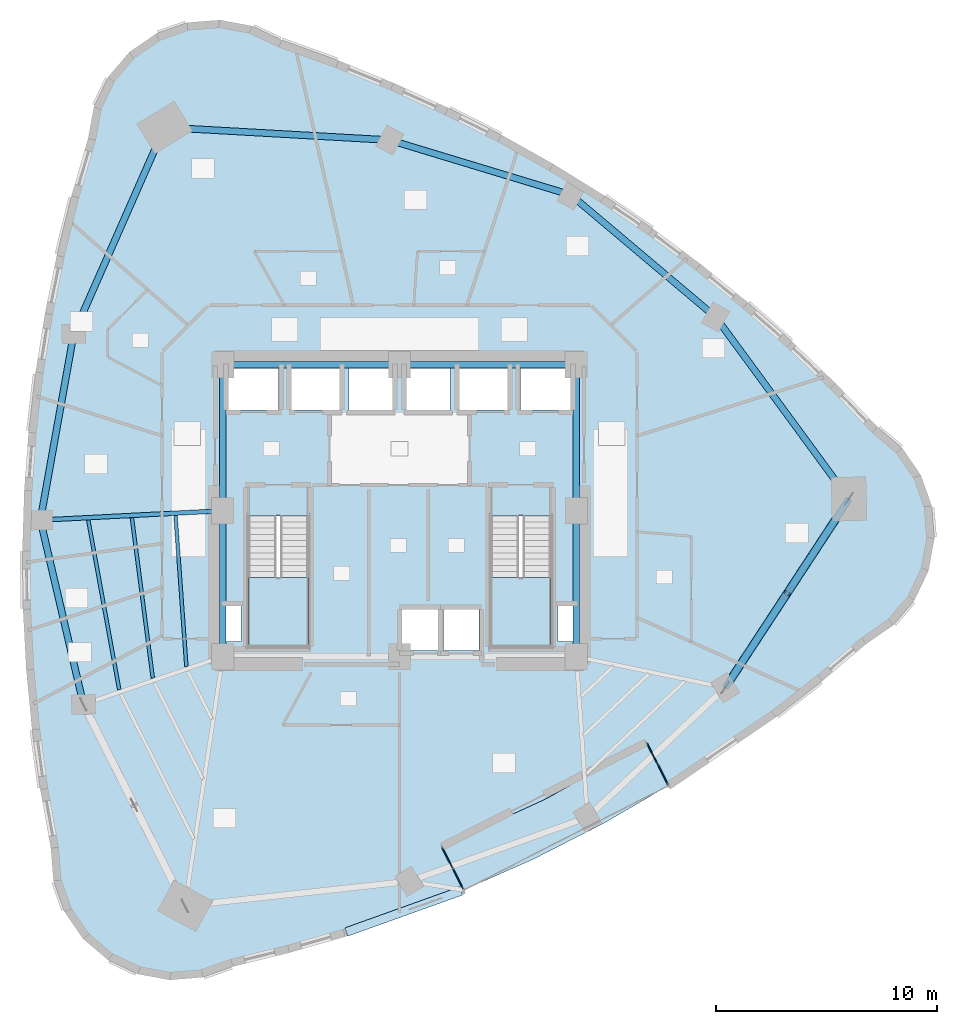
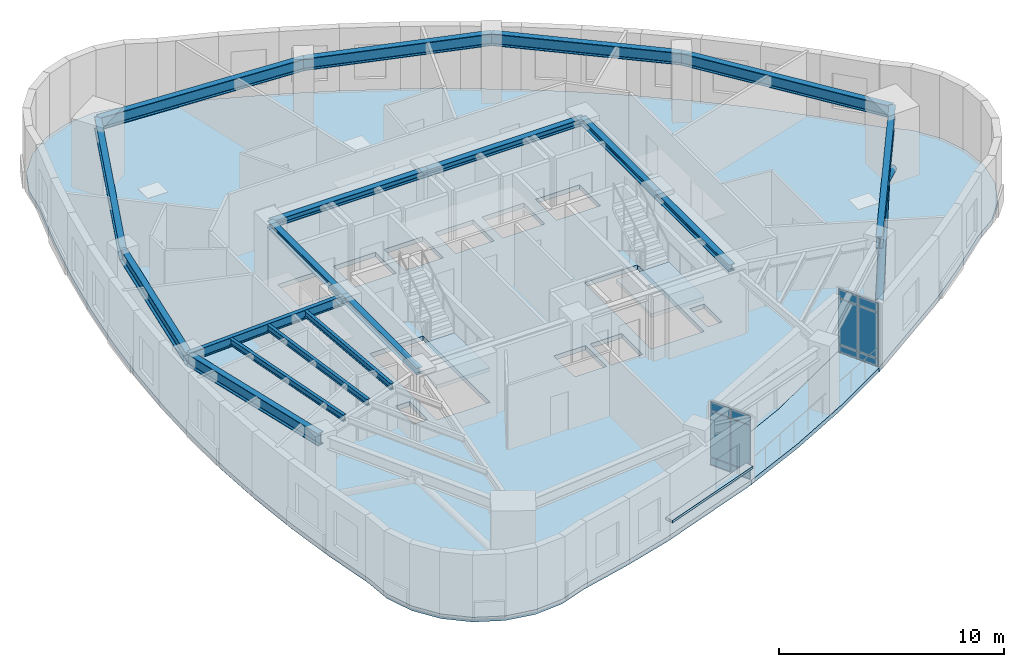
# One storey, part 4 of 12: 18 beams, 13 plates, 4 slabs, 2 members, 4 elements without a shape of their own.
"""IFC4 building model written with IfcOpenShell, lengths in metres."""

from ifc_helpers import new_model, si_unit, direction, frame, origin, origin_2d, place, context, subcontext, project, spatial, polyline, rectangle, hollow_circle, i_section, outline, extrude, material, layer, layer_set, material_profile, profile_set, type_object, element, aggregate, save


model = new_model("IFC4")

# Units and contexts
model_context = context("Model", 3, precision=1e-05, world=origin(), true_north=direction((0.0, 1.0)))
body_context = subcontext(model_context, "Body", "Model", "MODEL_VIEW")
ifc_project = project(units=[si_unit("LENGTHUNIT", "METRE"), si_unit("AREAUNIT", "SQUARE_METRE"), si_unit("VOLUMEUNIT", "CUBIC_METRE"), si_unit("PLANEANGLEUNIT", "RADIAN"), si_unit("MASSUNIT", "GRAM", prefix="KILO")], contexts=[model_context])

# Site, building, storey
site_placement = place(None, origin())
site = spatial("IfcSite", under=ifc_project, at=site_placement, CompositionType="ELEMENT")
building_placement = place(site_placement, origin())
building = spatial("IfcBuilding", under=site, at=building_placement, Name="Ndelora Gate Hotel", CompositionType="ELEMENT")
storey_placement = place(building_placement, frame((0.0, 0.0, 112.25)))
storey = spatial("IfcBuildingStorey", under=building, at=storey_placement, Name="L27", CompositionType="ELEMENT", Elevation=112.25)

# Beams
ifc_material_1 = material(Name="Steel S355", Category="steel")
ifc_material_profile_1 = material_profile(ifc_material_1, i_section(OverallWidth=0.300048828125, OverallDepth=0.360107421875, WebThickness=0.012451171875, FlangeThickness=0.0224609375, FilletRadius=0.027099609375, at=origin_2d()), Name="HEB 360")
ifc_profile_set_1 = profile_set([ifc_material_profile_1], Name="Steel S355")
beam_type_1 = type_object("IfcBeamType", Name="BM-CORE-360", PredefinedType="BEAM", material=ifc_profile_set_1)
for number, where, z_axis, x_axis, name in (
    (1, (-8.0, 6.60009765625, 3.320068359375), (1.0, 0.0, 0.0), (0.0, 1.0, 0.0), "L27 Core Tie Girder CC7-CC6"),
    (2, (0.0, 6.60009765625, 3.320068359375), (1.0, 0.0, 0.0), (0.0, 1.0, 0.0), "L27 Core Tie Girder CC6-CC5"),
):
    element("IfcBeam", number, at=place(storey_placement, frame(where, z_axis=z_axis, x_axis=x_axis)), inside=storey, type_object=beam_type_1, Name=name, PredefinedType="BEAM", context=body_context, shape_type="SweptSolid", body=[
        extrude(i_section(OverallWidth=0.300048828125, OverallDepth=0.360107421875, WebThickness=0.012451171875, FlangeThickness=0.0224609375, FilletRadius=0.027099609375, at=origin_2d()), origin(), (0.0, 0.0, 1.0), 8.0),
    ])
for number, where, z_axis, x_axis, name in (
    (3, (-8.0, -6.60009765625, 3.320068359375), (0.0, 1.0, 0.0), (-1.0, 0.0, 0.0), "L27 Core Tie Girder CC1-CC8"),
    (4, (-8.0, 0.0, 3.320068359375), (0.0, 1.0, 0.0), (-1.0, 0.0, 0.0), "L27 Core Tie Girder CC8-CC7"),
    (5, (8.0, -6.60009765625, 3.320068359375), (0.0, 1.0, 0.0), (-1.0, 0.0, 0.0), "L27 Core Tie Girder CC3-CC4"),
    (6, (8.0, 0.0, 3.320068359375), (0.0, 1.0, 0.0), (-1.0, 0.0, 0.0), "L27 Core Tie Girder CC4-CC5"),
):
    element("IfcBeam", number, at=place(storey_placement, frame(where, z_axis=z_axis, x_axis=x_axis)), inside=storey, type_object=beam_type_1, Name=name, PredefinedType="BEAM", context=body_context, shape_type="SweptSolid", body=[
        extrude(i_section(OverallWidth=0.300048828125, OverallDepth=0.360107421875, WebThickness=0.012451171875, FlangeThickness=0.0224609375, FilletRadius=0.027099609375, at=origin_2d()), origin(), (0.0, 0.0, 1.0), 6.60009765625),
    ])
ifc_material_profile_2 = material_profile(ifc_material_1, i_section(OverallWidth=0.159912109375, OverallDepth=0.330078125, WebThickness=0.007568359375, FlangeThickness=0.011474609375, FilletRadius=0.01806640625, at=origin_2d()), Name="IPE 330")
ifc_profile_set_2 = profile_set([ifc_material_profile_2], Name="Steel S355")
beam_type_2 = type_object("IfcBeamType", Name="BM-JST-330", PredefinedType="JOIST", material=ifc_profile_set_2)
beam_1_placement = place(storey_placement, frame((-10.138427734375, -0.220458984375, 3.3349609375), z_axis=(0.07162945927, -0.997431311201, 0.0), x_axis=(0.997431311201, 0.07162945927, 0.0)))
element("IfcBeam", 7, at=beam_1_placement, inside=storey, type_object=beam_type_2, Name="L27 Secondary Composite Floor Joist IN-3", PredefinedType="JOIST", context=body_context, shape_type="SweptSolid", body=[
    extrude(i_section(OverallWidth=0.159912109375, OverallDepth=0.330078125, WebThickness=0.007568359375, FlangeThickness=0.011474609375, FilletRadius=0.01806640625, at=origin_2d()), origin(), (0.0, 0.0, 1.0), 6.850830078125),
])
beam_2_placement = place(storey_placement, frame((-12.113525390625, -0.322021484375, 3.3349609375), z_axis=(0.12927924943, -0.991608226906, 0.0), x_axis=(0.991608226906, 0.12927924943, 0.0)))
element("IfcBeam", 8, at=beam_2_placement, inside=storey, type_object=beam_type_2, Name="L27 Secondary Composite Floor Joist MID-3", PredefinedType="JOIST", context=body_context, shape_type="SweptSolid", body=[
    extrude(i_section(OverallWidth=0.159912109375, OverallDepth=0.330078125, WebThickness=0.007568359375, FlangeThickness=0.011474609375, FilletRadius=0.01806640625, at=origin_2d()), origin(), (0.0, 0.0, 1.0), 7.31396484375),
])
beam_3_placement = place(storey_placement, frame((-14.089111328125, -0.423095703125, 3.3349609375), z_axis=(0.179733770179, -0.983715290039, 0.0), x_axis=(0.983715290039, 0.179733770179, 0.0)))
element("IfcBeam", 9, at=beam_3_placement, inside=storey, type_object=beam_type_2, Name="L27 Secondary Composite Floor Joist OUT-3", PredefinedType="JOIST", context=body_context, shape_type="SweptSolid", body=[
    extrude(i_section(OverallWidth=0.159912109375, OverallDepth=0.330078125, WebThickness=0.007568359375, FlangeThickness=0.011474609375, FilletRadius=0.01806640625, at=origin_2d()), origin(), (0.0, 0.0, 1.0), 7.799560546875),
])
ifc_material_profile_3 = material_profile(ifc_material_1, i_section(OverallWidth=0.199951171875, OverallDepth=0.5, WebThickness=0.01025390625, FlangeThickness=0.01611328125, FilletRadius=0.02099609375, at=origin_2d()), Name="IPE 500")
ifc_profile_set_3 = profile_set([ifc_material_profile_3], Name="Steel S355")
beam_type_3 = type_object("IfcBeamType", Name="BM-RAD-500", PredefinedType="BEAM", material=ifc_profile_set_3)
beam_4_placement = place(storey_placement, frame((-8.0, 0.0, 3.25), z_axis=(-0.998672591881, -0.051507807424, 0.0), x_axis=(0.051507807424, -0.998672591881, 0.0)))
element("IfcBeam", 10, at=beam_4_placement, inside=storey, type_object=beam_type_3, Name="L27 Radial Floor Girder 3", PredefinedType="BEAM", context=body_context, shape_type="SweptSolid", body=[
    extrude(i_section(OverallWidth=0.199951171875, OverallDepth=0.5, WebThickness=0.01025390625, FlangeThickness=0.01611328125, FilletRadius=0.02099609375, at=origin_2d()), origin(), (0.0, 0.0, 1.0), 8.266357421875),
])
ifc_material_profile_4 = material_profile(ifc_material_1, i_section(OverallWidth=0.300048828125, OverallDepth=0.64990234375, WebThickness=0.01611328125, FlangeThickness=0.031005859375, FilletRadius=0.027099609375, at=origin_2d()), Name="HEB 650")
ifc_profile_set_4 = profile_set([ifc_material_profile_4], Name="Steel S355")
beam_type_4 = type_object("IfcBeamType", Name="BM-RING-650", PredefinedType="SPANDREL", material=ifc_profile_set_4)
beam_5_placement = place(storey_placement, frame((-10.63330078125, 17.351806640625, 3.175048828125), z_axis=(-0.402852396707, -0.915264959707, 0.0), x_axis=(0.915264959707, -0.402852396707, 0.0)))
element("IfcBeam", 11, at=beam_5_placement, inside=storey, type_object=beam_type_4, Name="L27 Perimeter Spandrel Girder 1", PredefinedType="SPANDREL", context=body_context, shape_type="SweptSolid", body=[
    extrude(i_section(OverallWidth=0.300048828125, OverallDepth=0.64990234375, WebThickness=0.01611328125, FlangeThickness=0.031005859375, FilletRadius=0.027099609375, at=origin_2d()), origin(), (0.0, 0.0, 1.0), 10.21044921875),
])
beam_6_placement = place(storey_placement, frame((-14.74658203125, 8.006591796875, 3.175048828125), z_axis=(-0.176130938817, -0.984366746894, 0.0), x_axis=(0.984366746894, -0.176130938817, 0.0)))
element("IfcBeam", 12, at=beam_6_placement, inside=storey, type_object=beam_type_4, Name="L27 Perimeter Spandrel Girder 2", PredefinedType="SPANDREL", context=body_context, shape_type="SweptSolid", body=[
    extrude(i_section(OverallWidth=0.300048828125, OverallDepth=0.64990234375, WebThickness=0.01611328125, FlangeThickness=0.031005859375, FilletRadius=0.027099609375, at=origin_2d()), origin(), (0.0, 0.0, 1.0), 8.56640625),
])
beam_7_placement = place(storey_placement, frame((-16.25537109375, -0.42578125, 3.175048828125), z_axis=(0.227404398157, -0.973800410607, 0.0), x_axis=(0.973800410607, 0.227404398157, 0.0)))
element("IfcBeam", 13, at=beam_7_placement, inside=storey, type_object=beam_type_4, Name="L27 Perimeter Spandrel Girder 3", PredefinedType="SPANDREL", context=body_context, shape_type="SweptSolid", body=[
    extrude(i_section(OverallWidth=0.300048828125, OverallDepth=0.64990234375, WebThickness=0.01611328125, FlangeThickness=0.031005859375, FilletRadius=0.027099609375, at=origin_2d()), origin(), (0.0, 0.0, 1.0), 8.566162109375),
])
for number, where, z_axis, x_axis, name in (
    (14, (14.74658203125, -8.006591796875, 3.175048828125), (0.548194123818, 0.836351123998, 0.0), (-0.836351123998, 0.548194123818, 0.0), "L27 Perimeter Spandrel Girder 8"),
    (15, (20.34375, 0.53271484375, 3.175048828125), (-0.591229932094, 0.806503048597, 0.0), (-0.806503048597, -0.591229932094, 0.0), "L27 Perimeter Spandrel Girder 9"),
):
    element("IfcBeam", number, at=place(storey_placement, frame(where, z_axis=z_axis, x_axis=x_axis)), inside=storey, type_object=beam_type_4, Name=name, PredefinedType="SPANDREL", context=body_context, shape_type="SweptSolid", body=[
        extrude(i_section(OverallWidth=0.300048828125, OverallDepth=0.64990234375, WebThickness=0.01611328125, FlangeThickness=0.031005859375, FilletRadius=0.027099609375, at=origin_2d()), origin(), (0.0, 0.0, 1.0), 10.210205078125),
    ])
beam_8_placement = place(storey_placement, frame((14.30712890625, 8.767333984375, 3.175048828125), z_axis=(-0.76440691948, 0.644734101356, 0.0), x_axis=(-0.644734101356, -0.76440691948, 0.0)))
element("IfcBeam", 16, at=beam_8_placement, inside=storey, type_object=beam_type_4, Name="L27 Perimeter Spandrel Girder 10", PredefinedType="SPANDREL", context=body_context, shape_type="SweptSolid", body=[
    extrude(i_section(OverallWidth=0.300048828125, OverallDepth=0.64990234375, WebThickness=0.01611328125, FlangeThickness=0.031005859375, FilletRadius=0.027099609375, at=origin_2d()), origin(), (0.0, 0.0, 1.0), 8.566162109375),
])
beam_9_placement = place(storey_placement, frame((7.759033203125, 14.290283203125, 3.175048828125), z_axis=(-0.957030396662, 0.289987620192, 0.0), x_axis=(-0.289987620192, -0.957030396662, 0.0)))
element("IfcBeam", 17, at=beam_9_placement, inside=storey, type_object=beam_type_4, Name="L27 Perimeter Spandrel Girder 11", PredefinedType="SPANDREL", context=body_context, shape_type="SweptSolid", body=[
    extrude(i_section(OverallWidth=0.300048828125, OverallDepth=0.64990234375, WebThickness=0.01611328125, FlangeThickness=0.031005859375, FilletRadius=0.027099609375, at=origin_2d()), origin(), (0.0, 0.0, 1.0), 8.56640625),
])
beam_10_placement = place(storey_placement, frame((-0.439208984375, 16.7744140625, 3.175048828125), z_axis=(-0.998399808671, 0.056549288648, 0.0), x_axis=(-0.056549288648, -0.998399808671, 0.0)))
element("IfcBeam", 18, at=beam_10_placement, inside=storey, type_object=beam_type_4, Name="L27 Perimeter Spandrel Girder 12", PredefinedType="SPANDREL", context=body_context, shape_type="SweptSolid", body=[
    extrude(i_section(OverallWidth=0.300048828125, OverallDepth=0.64990234375, WebThickness=0.01611328125, FlangeThickness=0.031005859375, FilletRadius=0.027099609375, at=origin_2d()), origin(), (0.0, 0.0, 1.0), 10.21044921875),
])

# Members
ifc_material_profile_5 = material_profile(ifc_material_1, hollow_circle(Radius=0.177978515625, WallThickness=0.01611328125, at=origin_2d()), Name="CHS 356x16")
ifc_profile_set_5 = profile_set([ifc_material_profile_5], Name="Steel S355")
member_type = type_object("IfcMemberType", Name="MB-TUBE-356", PredefinedType="BRACE", material=ifc_profile_set_5)
member_1_placement = place(storey_placement, frame((14.74658203125, -8.006591796875, 0.02001953125), z_axis=(0.47546124485, 0.725365632901, 0.497776358671), x_axis=(-0.836343937987, 0.548205086982, 0.0)))
element("IfcMember", 19, at=member_1_placement, inside=storey, type_object=member_type, Name="L27 Perimeter Braced-Tube Diagonal 8A", PredefinedType="BRACE", context=body_context, shape_type="SweptSolid", body=[
    extrude(hollow_circle(Radius=0.177978515625, WallThickness=0.01611328125, at=origin_2d()), origin(), (0.0, 0.0, 1.0), 5.885986328125),
])
member_2_placement = place(storey_placement, frame((20.34375, 0.53271484375, 0.02001953125), z_axis=(-0.475446940052, -0.7253852861, 0.497761382497), x_axis=(0.836358309577, -0.548183160997, 0.0)))
element("IfcMember", 20, at=member_2_placement, inside=storey, type_object=member_type, Name="L27 Perimeter Braced-Tube Diagonal 8B", PredefinedType="BRACE", context=body_context, shape_type="SweptSolid", body=[
    extrude(hollow_circle(Radius=0.177978515625, WallThickness=0.01611328125, at=origin_2d()), origin(), (0.0, 0.0, 1.0), 5.88623046875),
])

# Curtain wall, plates
ifc_material_2 = material(Name="Bronze Anodised Unitised Aluminium and Low-E Glass", Category="aluminium")
ifc_layer_1 = layer(ifc_material_2, 0.199951171875)
ifc_layer_set_1 = layer_set([ifc_layer_1], Name="Bronze Anodised Unitised Aluminium and Low-E Glass")
curtain_wall_type = type_object("IfcCurtainWallType", Name="CW-SYS-3", PredefinedType="NOTDEFINED", material=ifc_layer_set_1)
curtain_wall_1_placement = place(storey_placement, origin())
curtain_wall_1 = element("IfcCurtainWall", 21, at=curtain_wall_1_placement, inside=storey, type_object=curtain_wall_type, Name="L27 Sky-Garden Loggia Side Curtain Wall CW3-1", PredefinedType="NOTDEFINED")
ifc_material_3 = material(Name="Solar-Control Low-E Insulated Glazing", Category="glass")
ifc_layer_2 = layer(ifc_material_3, 0.048095703125)
ifc_layer_set_2 = layer_set([ifc_layer_2], Name="Solar-Control Low-E Insulated Glazing")
plate_type_1 = type_object("IfcPlateType", Name="PL-CW-GLZ36", PredefinedType="CURTAIN_PANEL", material=ifc_layer_set_2)
plate_1_placement = place(storey_placement, frame((2.16845703125, -15.709716796875, 0.05908203125), z_axis=(0.0, 0.0, 1.0), x_axis=(0.454000680995, -0.891001336507, 0.0)))
plate_1 = element("IfcPlate", 22, at=plate_1_placement, type_object=plate_type_1, Name="CW3 panel 1.1", PredefinedType="CURTAIN_PANEL", context=body_context, shape_type="SweptSolid", body=[
    extrude(rectangle(XDim=1.014404296875, YDim=0.048095703125, at=origin_2d()), origin(), (0.0, 0.0, 1.0), 0.364501953125),
])
plate_2_placement = place(storey_placement, frame((2.16845703125, -15.709716796875, 0.4765625), z_axis=(0.0, 0.0, 1.0), x_axis=(0.454000680995, -0.891001336507, 0.0)))
plate_2 = element("IfcPlate", 23, at=plate_2_placement, type_object=plate_type_1, Name="CW3 panel 1.2", PredefinedType="CURTAIN_PANEL", context=body_context, shape_type="SweptSolid", body=[
    extrude(rectangle(XDim=1.014404296875, YDim=0.048095703125, at=origin_2d()), origin(), (0.0, 0.0, 1.0), 2.447021484375),
])
plate_3_placement = place(storey_placement, frame((2.16845703125, -15.709716796875, 2.9765625), z_axis=(0.0, 0.0, 1.0), x_axis=(0.454000680995, -0.891001336507, 0.0)))
plate_3 = element("IfcPlate", 24, at=plate_3_placement, type_object=plate_type_1, Name="CW3 panel 1.3", PredefinedType="CURTAIN_PANEL", context=body_context, shape_type="SweptSolid", body=[
    extrude(rectangle(XDim=1.014404296875, YDim=0.048095703125, at=origin_2d()), origin(), (0.0, 0.0, 1.0), 0.464599609375),
])
plate_4_placement = place(storey_placement, frame((2.653076171875, -16.660888671875, 0.05908203125), z_axis=(0.0, 0.0, 1.0), x_axis=(0.454000680995, -0.891001336507, 0.0)))
plate_4 = element("IfcPlate", 25, at=plate_4_placement, type_object=plate_type_1, Name="CW3 panel 2.1", PredefinedType="CURTAIN_PANEL", context=body_context, shape_type="SweptSolid", body=[
    extrude(rectangle(XDim=1.014404296875, YDim=0.048095703125, at=origin_2d()), origin(), (0.0, 0.0, 1.0), 0.364501953125),
])
plate_5_placement = place(storey_placement, frame((2.653076171875, -16.660888671875, 0.4765625), z_axis=(0.0, 0.0, 1.0), x_axis=(0.454000680995, -0.891001336507, 0.0)))
plate_5 = element("IfcPlate", 26, at=plate_5_placement, type_object=plate_type_1, Name="CW3 panel 2.2", PredefinedType="CURTAIN_PANEL", context=body_context, shape_type="SweptSolid", body=[
    extrude(rectangle(XDim=1.014404296875, YDim=0.048095703125, at=origin_2d()), origin(), (0.0, 0.0, 1.0), 2.447021484375),
])
plate_6_placement = place(storey_placement, frame((2.653076171875, -16.660888671875, 2.9765625), z_axis=(0.0, 0.0, 1.0), x_axis=(0.454000680995, -0.891001336507, 0.0)))
plate_6 = element("IfcPlate", 27, at=plate_6_placement, type_object=plate_type_1, Name="CW3 panel 2.3", PredefinedType="CURTAIN_PANEL", context=body_context, shape_type="SweptSolid", body=[
    extrude(rectangle(XDim=1.014404296875, YDim=0.048095703125, at=origin_2d()), origin(), (0.0, 0.0, 1.0), 0.464599609375),
])
aggregate(curtain_wall_1, [plate_1, plate_2, plate_3, plate_4, plate_5, plate_6])

curtain_wall_2_placement = place(storey_placement, origin())
curtain_wall_2 = element("IfcCurtainWall", 28, at=curtain_wall_2_placement, inside=storey, type_object=curtain_wall_type, Name="L27 Sky-Garden Loggia Side Curtain Wall CW3-2", PredefinedType="NOTDEFINED")
plate_7_placement = place(storey_placement, frame((11.91943359375, -11.939453125, 0.05908203125), z_axis=(0.0, 0.0, 1.0), x_axis=(-0.454000680995, 0.891001336507, 0.0)))
plate_7 = element("IfcPlate", 29, at=plate_7_placement, type_object=plate_type_1, Name="CW3 panel 1.1", PredefinedType="CURTAIN_PANEL", context=body_context, shape_type="SweptSolid", body=[
    extrude(rectangle(XDim=1.014404296875, YDim=0.048095703125, at=origin_2d()), origin(), (0.0, 0.0, 1.0), 0.364501953125),
])
plate_8_placement = place(storey_placement, frame((11.91943359375, -11.939453125, 0.4765625), z_axis=(0.0, 0.0, 1.0), x_axis=(-0.454000680995, 0.891001336507, 0.0)))
plate_8 = element("IfcPlate", 30, at=plate_8_placement, type_object=plate_type_1, Name="CW3 panel 1.2", PredefinedType="CURTAIN_PANEL", context=body_context, shape_type="SweptSolid", body=[
    extrude(rectangle(XDim=1.014404296875, YDim=0.048095703125, at=origin_2d()), origin(), (0.0, 0.0, 1.0), 2.447021484375),
])
plate_9_placement = place(storey_placement, frame((11.91943359375, -11.939453125, 2.9765625), z_axis=(0.0, 0.0, 1.0), x_axis=(-0.454000680995, 0.891001336507, 0.0)))
plate_9 = element("IfcPlate", 31, at=plate_9_placement, type_object=plate_type_1, Name="CW3 panel 1.3", PredefinedType="CURTAIN_PANEL", context=body_context, shape_type="SweptSolid", body=[
    extrude(rectangle(XDim=1.014404296875, YDim=0.048095703125, at=origin_2d()), origin(), (0.0, 0.0, 1.0), 0.464599609375),
])
plate_10_placement = place(storey_placement, frame((11.434814453125, -10.98828125, 0.05908203125), z_axis=(0.0, 0.0, 1.0), x_axis=(-0.454000680995, 0.891001336507, 0.0)))
plate_10 = element("IfcPlate", 32, at=plate_10_placement, type_object=plate_type_1, Name="CW3 panel 2.1", PredefinedType="CURTAIN_PANEL", context=body_context, shape_type="SweptSolid", body=[
    extrude(rectangle(XDim=1.014404296875, YDim=0.048095703125, at=origin_2d()), origin(), (0.0, 0.0, 1.0), 0.364501953125),
])
plate_11_placement = place(storey_placement, frame((11.434814453125, -10.98828125, 0.4765625), z_axis=(0.0, 0.0, 1.0), x_axis=(-0.454000680995, 0.891001336507, 0.0)))
plate_11 = element("IfcPlate", 33, at=plate_11_placement, type_object=plate_type_1, Name="CW3 panel 2.2", PredefinedType="CURTAIN_PANEL", context=body_context, shape_type="SweptSolid", body=[
    extrude(rectangle(XDim=1.014404296875, YDim=0.048095703125, at=origin_2d()), origin(), (0.0, 0.0, 1.0), 2.447021484375),
])
plate_12_placement = place(storey_placement, frame((11.434814453125, -10.98828125, 2.9765625), z_axis=(0.0, 0.0, 1.0), x_axis=(-0.454000680995, 0.891001336507, 0.0)))
plate_12 = element("IfcPlate", 34, at=plate_12_placement, type_object=plate_type_1, Name="CW3 panel 2.3", PredefinedType="CURTAIN_PANEL", context=body_context, shape_type="SweptSolid", body=[
    extrude(rectangle(XDim=1.014404296875, YDim=0.048095703125, at=origin_2d()), origin(), (0.0, 0.0, 1.0), 0.464599609375),
])
aggregate(curtain_wall_2, [plate_7, plate_8, plate_9, plate_10, plate_11, plate_12])

# Plate
ifc_material_4 = material(Name="Precast concrete C40/50", Category="concrete")
ifc_layer_3 = layer(ifc_material_4, 0.125)
ifc_layer_set_3 = layer_set([ifc_layer_3], Name="Precast concrete C40/50")
plate_type_2 = type_object("IfcPlateType", Name="PL-SILL-120", PredefinedType="USERDEFINED", material=ifc_layer_set_3)
plate_13_placement = place(storey_placement, frame((0.19091796875, -18.139404296875, 0.78759765625), z_axis=(0.0, 0.0, 1.0), x_axis=(0.941411696251, 0.337259570896, 0.0)))
element("IfcPlate", 35, at=plate_13_placement, inside=storey, type_object=plate_type_2, Name="L27 Streamline Precast Ribbon Sill 31", ObjectType="RIBBON_SILL", PredefinedType="USERDEFINED", context=body_context, shape_type="SweptSolid", body=[
    extrude(rectangle(XDim=5.527099609375, YDim=0.39990234375, at=origin_2d()), origin(), (0.0, 0.0, 1.0), 0.125),
])

# Stair, slab
stair_type = type_object("IfcStairType", Name="STR-DOG-CORE", PredefinedType="HALF_TURN_STAIR", material=ifc_material_4)
stair_1_placement = place(storey_placement, origin())
stair_1 = element("IfcStair", 36, at=stair_1_placement, inside=storey, type_object=stair_type, Name="L27 Protected Core Exit Stair ST4", PredefinedType="HALF_TURN_STAIR")
ifc_layer_4 = layer(ifc_material_4, 0.219970703125)
ifc_layer_set_4 = layer_set([ifc_layer_4], Name="Precast concrete C40/50")
slab_type_1 = type_object("IfcSlabType", Name="SL-LAND-220", PredefinedType="LANDING", material=ifc_layer_set_4)
slab_1_placement = place(storey_placement, frame((0.0, 0.0, 1.675048828125)))
slab_1 = element("IfcSlab", 37, at=slab_1_placement, type_object=slab_type_1, Name="ST4 landing 1", PredefinedType="LANDING", context=body_context, shape_type="SweptSolid", body=[
    extrude(outline(polyline([(-6.85009765625, -3.030029296875), (-6.85009765625, -6.14990234375), (-4.1298828125, -6.14990234375), (-4.1298828125, -3.030029296875), (-6.85009765625, -3.030029296875)])), origin(), (0.0, 0.0, 1.0), 0.199951171875),
])
aggregate(stair_1, [slab_1])

stair_2_placement = place(storey_placement, origin())
stair_2 = element("IfcStair", 38, at=stair_2_placement, inside=storey, type_object=stair_type, Name="L27 Protected Core Exit Stair ST5", PredefinedType="HALF_TURN_STAIR")
slab_2_placement = place(storey_placement, frame((0.0, 0.0, 1.675048828125)))
slab_2 = element("IfcSlab", 39, at=slab_2_placement, type_object=slab_type_1, Name="ST5 landing 1", PredefinedType="LANDING", context=body_context, shape_type="SweptSolid", body=[
    extrude(outline(polyline([(4.1298828125, -3.030029296875), (4.1298828125, -6.14990234375), (6.85009765625, -6.14990234375), (6.85009765625, -3.030029296875), (4.1298828125, -3.030029296875)])), origin(), (0.0, 0.0, 1.0), 0.199951171875),
])
aggregate(stair_2, [slab_2])

# Slabs
ifc_layer_5 = layer(ifc_material_4, 0.239990234375)
ifc_layer_set_5 = layer_set([ifc_layer_5], Name="Precast concrete C40/50")
slab_type_2 = type_object("IfcSlabType", Name="SL-TER-240", PredefinedType="FLOOR", material=ifc_layer_set_5)
slab_3_placement = place(storey_placement, frame((0.0, 0.0, -0.239990234375)))
element("IfcSlab", 40, at=slab_3_placement, inside=storey, type_object=slab_type_2, Name="L27 Sky Garden Loggia Terrace Slab", PredefinedType="FLOOR", context=body_context, shape_type="SweptSolid", body=[
    extrude(outline(polyline([(1.911376953125, -15.205078125), (2.91015625, -17.165283203125), (6.05419921875, -15.7763671875), (9.204833984375, -14.1708984375), (12.176513671875, -12.44384765625), (11.177734375, -10.483642578125), (6.64208984375, -13.03564453125), (1.911376953125, -15.205078125)])), origin(), (0.0, 0.0, 1.0), 0.239990234375),
])
ifc_material_5 = material(Name="Concrete C40/50", Category="concrete")
ifc_layer_6 = layer(ifc_material_5, 0.25)
ifc_layer_set_6 = layer_set([ifc_layer_6], Name="Concrete C40/50")
slab_type_3 = type_object("IfcSlabType", Name="SL-TWR-250", PredefinedType="FLOOR", material=ifc_layer_set_6)
slab_4_placement = place(storey_placement, frame((0.0, 0.0, -0.25)))
element("IfcSlab", 41, at=slab_4_placement, inside=storey, type_object=slab_type_3, Name="L27 Structural Floor Slab", PredefinedType="FLOOR", context=body_context, shape_type="SweptSolid", body=[
    extrude(outline(polyline([(-5.4306640625, 21.150146484375), (-6.7265625, 21.768310546875), (-8.138427734375, 22.02978515625), (-9.569580078125, 21.917236328125), (-10.923095703125, 21.43798828125), (-12.1064453125, 20.624755859375), (-13.038818359375, 19.532958984375), (-13.656982421875, 18.237060546875), (-13.918701171875, 16.8251953125), (-14.684326171875, 14.1826171875), (-15.33642578125, 11.5341796875), (-15.874755859375, 8.8798828125), (-16.29931640625, 6.219482421875), (-16.610107421875, 3.552978515625), (-16.80712890625, 0.880859375), (-16.890380859375, -1.79736328125), (-16.860107421875, -4.481689453125), (-16.7158203125, -7.171875), (-16.4580078125, -9.867919921875), (-16.08642578125, -12.570068359375), (-15.60107421875, -15.2783203125), (-15.488525390625, -16.70947265625), (-15.00927734375, -18.06298828125), (-14.196044921875, -19.24609375), (-13.104248046875, -20.1787109375), (-11.808349609375, -20.796875), (-10.396484375, -21.05859375), (-8.965087890625, -20.94580078125), (-7.61181640625, -20.466552734375), (-5.04638671875, -19.836669921875), (-2.5283203125, -19.11328125), (2.91015625, -17.165283203125), (1.911376953125, -15.205078125), (6.64208984375, -13.03564453125), (11.177734375, -10.483642578125), (12.176513671875, -12.44384765625), (16.94921875, -9.18896484375), (19.014404296875, -7.5771484375), (21.03173828125, -5.871826171875), (22.215087890625, -5.05859375), (23.147705078125, -3.966796875), (23.765625, -2.6708984375), (24.02734375, -1.25927734375), (23.914794921875, 0.172119140625), (23.435302734375, 1.525634765625), (22.622314453125, 2.708740234375), (21.530517578125, 3.641357421875), (19.624755859375, 5.625732421875), (17.6572265625, 7.5146484375), (15.62744140625, 9.30810546875), (13.535888671875, 11.005859375), (11.382080078125, 12.608154296875), (9.16650390625, 14.114990234375), (6.888671875, 15.5263671875), (4.548828125, 16.842041015625), (2.14697265625, 18.062255859375), (-0.31689453125, 19.18701171875), (-2.8427734375, 20.21630859375), (-5.4306640625, 21.150146484375)]), holes=[polyline([(-6.85009765625, -0.22998046875), (-6.85009765625, -6.14990234375), (-4.1298828125, -6.14990234375), (-4.1298828125, -0.22998046875), (-6.85009765625, -0.22998046875)]), polyline([(4.1298828125, -0.22998046875), (4.1298828125, -6.14990234375), (6.85009765625, -6.14990234375), (6.85009765625, -0.22998046875), (4.1298828125, -0.22998046875)]), polyline([(-7.72998046875, 4.570068359375), (-5.469970703125, 4.570068359375), (-5.469970703125, 6.429931640625), (-7.72998046875, 6.429931640625), (-7.72998046875, 4.570068359375)]), polyline([(5.469970703125, 4.570068359375), (7.72998046875, 4.570068359375), (7.72998046875, 6.429931640625), (5.469970703125, 6.429931640625), (5.469970703125, 4.570068359375)]), polyline([(-4.8798828125, 4.570068359375), (-2.719970703125, 4.570068359375), (-2.719970703125, 6.429931640625), (-4.8798828125, 6.429931640625), (-4.8798828125, 4.570068359375)]), polyline([(2.719970703125, 4.570068359375), (4.8798828125, 4.570068359375), (4.8798828125, 6.429931640625), (2.719970703125, 6.429931640625), (2.719970703125, 4.570068359375)]), polyline([(0.1201171875, -6.330078125), (1.739990234375, -6.330078125), (1.739990234375, -4.469970703125), (0.1201171875, -4.469970703125), (0.1201171875, -6.330078125)]), polyline([(1.97998046875, -6.330078125), (3.60009765625, -6.330078125), (3.60009765625, -4.469970703125), (1.97998046875, -4.469970703125), (1.97998046875, -6.330078125)]), polyline([(-2.280029296875, 4.570068359375), (-0.320068359375, 4.570068359375), (-0.320068359375, 6.429931640625), (-2.280029296875, 6.429931640625), (-2.280029296875, 4.570068359375)]), polyline([(0.320068359375, 4.570068359375), (2.280029296875, 4.570068359375), (2.280029296875, 6.429931640625), (0.320068359375, 6.429931640625), (0.320068359375, 4.570068359375)]), polyline([(-7.89990234375, -5.919921875), (-7.179931640625, -5.919921875), (-7.179931640625, -4.320068359375), (-7.89990234375, -4.320068359375), (-7.89990234375, -5.919921875)]), polyline([(7.179931640625, -5.919921875), (7.89990234375, -5.919921875), (7.89990234375, -4.320068359375), (7.179931640625, -4.320068359375), (7.179931640625, -5.919921875)])]), origin(), (0.0, 0.0, 1.0), 0.25),
])

save(model, "model.ifc")
